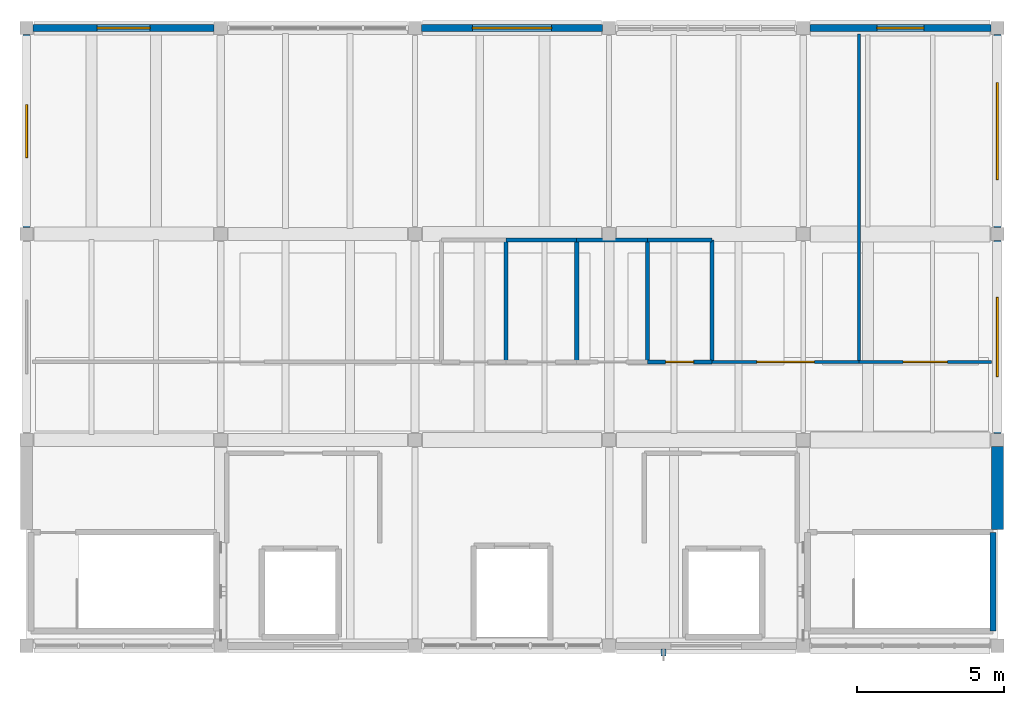
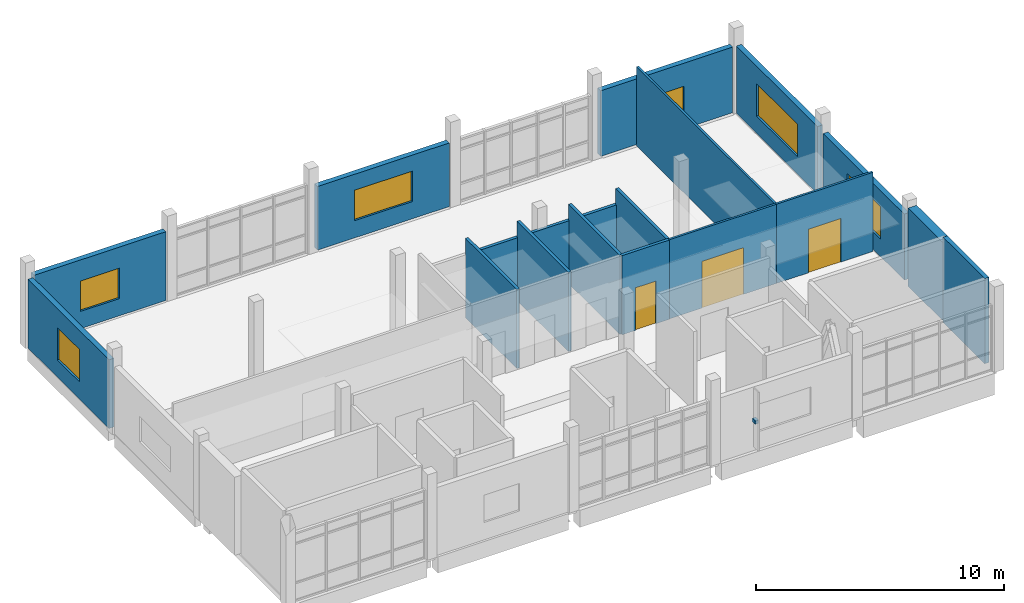
# One storey, part 9 of 10: 19 walls, 6 windows, 3 doors, 1 discrete accessory, 9 openings.
"""IFC4 building model written with IfcOpenShell, lengths in metres."""

import ifcopenshell
import ifcopenshell.guid

model = None  # the IFC model being written
_history = None  # IfcOwnerHistory: only IFC2X3 demands one
_inside = {}  # id of a spatial element -> (the spatial element, [elements in it])
_under = {}  # id of a project, library or spatial element -> (it, [spatial elements below it])
_declared = {}  # id of a project -> (the project, [libraries it declares])
_typed = {}  # id of a type object -> (the type object, [elements of that type])
_made_of = {}  # id of a material, layer set ... -> (it, [elements and type objects made of it])


def new_model(schema):
    """Start an empty IFC model of exactly this schema.

    Asked for "IFC4X3", IfcOpenShell would pick the latest addendum, in which some entities
    have other attributes; the version numbers below select the first issue.
    IFC2X3 requires an IfcOwnerHistory on every rooted entity: one is made here for all.
    """
    global model, _history
    if schema == "IFC4X3":
        model = ifcopenshell.file(schema_version=(4, 3, 0, 0))
    else:
        model = ifcopenshell.file(schema=schema)
    _inside.clear()
    _under.clear()
    _declared.clear()
    _typed.clear()
    _made_of.clear()
    _history = None
    if model.schema == "IFC2X3":
        org = make("IfcOrganization", Name="unknown")
        user = make(
            "IfcPersonAndOrganization",
            ThePerson=make("IfcPerson", FamilyName="unknown"),
            TheOrganization=org,
        )
        app = make(
            "IfcApplication",
            ApplicationDeveloper=org,
            Version="unknown",
            ApplicationFullName="unknown",
            ApplicationIdentifier="unknown",
        )
        _history = make(
            "IfcOwnerHistory",
            OwningUser=user,
            OwningApplication=app,
            ChangeAction="ADDED",
            CreationDate=0,
        )
    return model


def make(cls, **values):
    """One entity of the class cls with the attributes given. An attribute that is None is left unset."""
    return model.create_entity(
        cls, **{name: value for name, value in values.items() if value is not None}
    )


def rooted(cls, **values):
    """An entity with a GlobalId (a new one), such as an element, a storey or a relation."""
    return make(cls, GlobalId=ifcopenshell.guid.new(), OwnerHistory=_history, **values)


def si_unit(unit_type, name, prefix=None):
    """IfcSIUnit, for example si_unit("LENGTHUNIT", "METRE", prefix="MILLI")."""
    return make("IfcSIUnit", UnitType=unit_type, Prefix=prefix, Name=name)


def assignment(units):
    """IfcUnitAssignment: the units of a project."""
    return None if units is None else make("IfcUnitAssignment", Units=units)


def point(xyz):
    """IfcCartesianPoint."""
    return None if xyz is None else make("IfcCartesianPoint", Coordinates=xyz)


def direction(xyz):
    """IfcDirection."""
    return None if xyz is None else make("IfcDirection", DirectionRatios=xyz)


def frame(location, z_axis=None, x_axis=None):
    """IfcAxis2Placement3D, a coordinate frame: its origin and axes. An axis left out is left unset."""
    return make(
        "IfcAxis2Placement3D",
        Location=point(location),
        Axis=direction(z_axis),
        RefDirection=direction(x_axis),
    )


def frame_2d(location, x_axis=None):
    """IfcAxis2Placement2D, a coordinate frame in the plane: its origin and x axis."""
    return make(
        "IfcAxis2Placement2D", Location=point(location), RefDirection=direction(x_axis)
    )


def origin():
    """The frame at (0, 0, 0) with its axes left unset."""
    return frame((0.0, 0.0, 0.0))


def origin_2d():
    """The frame at (0, 0) in the plane with its x axis left unset."""
    return frame_2d((0.0, 0.0))


def place(relative_to, where):
    """IfcLocalPlacement: puts the frame where relative to a parent placement (None: the world)."""
    return make(
        "IfcLocalPlacement", PlacementRelTo=relative_to, RelativePlacement=where
    )


def context(
    kind, dimensions, precision=None, world=None, true_north=None, identifier=None
):
    """IfcGeometricRepresentationContext, for example the 3D "Model" context."""
    return make(
        "IfcGeometricRepresentationContext",
        ContextIdentifier=identifier,
        ContextType=kind,
        CoordinateSpaceDimension=dimensions,
        Precision=precision,
        WorldCoordinateSystem=world,
        TrueNorth=true_north,
    )


def subcontext(parent, identifier, kind, view, scale=None):
    """IfcGeometricRepresentationSubContext, for example "Body" below "Model"."""
    return make(
        "IfcGeometricRepresentationSubContext",
        ContextIdentifier=identifier,
        ContextType=kind,
        ParentContext=parent,
        TargetScale=scale,
        TargetView=view,
    )


def project(units=None, contexts=None):
    """IfcProject with its units and contexts."""
    return rooted(
        "IfcProject",
        Name="project",
        RepresentationContexts=contexts,
        UnitsInContext=assignment(units),
    )


def spatial(cls, under=None, at=None, **own):
    """A site, building, storey or space (cls), placed at a placement, below another one or the project."""
    s = rooted(cls, ObjectPlacement=at, **own)
    if under is not None:
        _under.setdefault(under.id(), (under, []))[1].append(s)
    return s


def profile(cls, at=None, kind="AREA", **sizes):
    """A parametric profile (cls). Its sizes go by their IFC names, for example OverallWidth=200.0."""
    return make(cls, ProfileType=kind, Position=at, **sizes)


def rectangle(**sizes):
    """IfcRectangleProfileDef."""
    return profile("IfcRectangleProfileDef", **sizes)


def extrude(swept, where, along, depth):
    """IfcExtrudedAreaSolid: the profile swept, set in the frame where, extruded along a direction by depth."""
    return make(
        "IfcExtrudedAreaSolid",
        SweptArea=swept,
        Position=where,
        ExtrudedDirection=direction(along),
        Depth=depth,
    )


def shape(context_of_items, identifier, shape_type, items):
    """IfcShapeRepresentation: the items that make up one representation, for example the "Body"."""
    return make(
        "IfcShapeRepresentation",
        ContextOfItems=context_of_items,
        RepresentationIdentifier=identifier,
        RepresentationType=shape_type,
        Items=items,
    )


def material(Name=None, Category=None):
    """IfcMaterial."""
    return make("IfcMaterial", Name=Name, Category=Category)


def layer(
    of_material, thickness, ventilated=None, Name=None, Category=None, Priority=None
):
    """IfcMaterialLayer: one layer of a wall or slab, of a material (None: an air gap)."""
    return make(
        "IfcMaterialLayer",
        Material=of_material,
        LayerThickness=thickness,
        IsVentilated=ventilated,
        Name=Name,
        Category=Category,
        Priority=Priority,
    )


def layer_set(layers, Name=None):
    """IfcMaterialLayerSet."""
    return make("IfcMaterialLayerSet", MaterialLayers=layers, LayerSetName=Name)


def made_of(thing, what):
    """Note that an element or type object is made of a material, layer set ...; save() writes the relation."""
    if what is not None:
        _made_of.setdefault(what.id(), (what, []))[1].append(thing)
    return thing


def type_object(cls, material=None, **own):
    """A type object (cls), such as IfcWallType, which elements share."""
    return made_of(rooted(cls, **own), material)


def element(
    cls,
    number,
    at=None,
    inside=None,
    cuts=None,
    type_object=None,
    material=None,
    context=None,
    identifier="Body",
    shape_type=None,
    held_by="IfcProductDefinitionShape",
    body=None,
    shapes=None,
    **own,
):
    """One element of the class cls, such as IfcWall. Its Tag is "e" and its number.

    at: its placement. inside: the storey or other place that contains it. cuts: it is an
    opening in that element (IfcRelVoidsElement). A single representation is given by context,
    identifier, shape_type and body (its items); several are given by shapes. held_by: the class
    of the entity that holds the representations. save() writes the other relations.
    """
    e = rooted(cls, Tag="e%d" % number, ObjectPlacement=at, **own)
    if body is not None:
        shapes = [shape(context, identifier, shape_type, body)]
    if shapes is not None:
        e.Representation = make(held_by, Representations=shapes)
    if inside is not None:
        _inside.setdefault(inside.id(), (inside, []))[1].append(e)
    if cuts is not None:
        rooted(
            "IfcRelVoidsElement", RelatingBuildingElement=cuts, RelatedOpeningElement=e
        )
    if type_object is not None:
        _typed.setdefault(type_object.id(), (type_object, []))[1].append(e)
    return made_of(e, material)


def fill(opening, filler):
    """IfcRelFillsElement: the door or window that sits in an opening."""
    return rooted(
        "IfcRelFillsElement",
        RelatingOpeningElement=opening,
        RelatedBuildingElement=filler,
    )


def aggregate(whole, parts):
    """IfcRelAggregates: a whole, such as a stair, and the parts it consists of."""
    return rooted("IfcRelAggregates", RelatingObject=whole, RelatedObjects=parts)


def save(model, path):
    """Write the relations noted so far, then the file.

    IfcRelAggregates (storeys below a building ...), IfcRelContainedInSpatialStructure (elements
    in a storey), IfcRelDefinesByType, IfcRelAssociatesMaterial and IfcRelDeclares: one each for
    every whole, place, type object, material and project.
    """
    for whole, parts in _under.values():
        aggregate(whole, parts)
    for where, things in _inside.values():
        rooted(
            "IfcRelContainedInSpatialStructure",
            RelatedElements=things,
            RelatingStructure=where,
        )
    for kind, things in _typed.values():
        rooted("IfcRelDefinesByType", RelatedObjects=things, RelatingType=kind)
    for what, things in _made_of.values():
        rooted("IfcRelAssociatesMaterial", RelatedObjects=things, RelatingMaterial=what)
    for by, libraries in _declared.values():
        rooted("IfcRelDeclares", RelatingContext=by, RelatedDefinitions=libraries)
    model.write(path)


model = new_model("IFC4")

# Units and contexts
model_context = context("Model", 3, precision=1e-05, world=origin(), true_north=direction((0.0, 1.0)))
body_context = subcontext(model_context, "Body", "Model", "MODEL_VIEW")
ifc_project = project(units=[si_unit("LENGTHUNIT", "METRE"), si_unit("AREAUNIT", "SQUARE_METRE"), si_unit("VOLUMEUNIT", "CUBIC_METRE"), si_unit("PLANEANGLEUNIT", "RADIAN"), si_unit("MASSUNIT", "GRAM", prefix="KILO")], contexts=[model_context])

# Site, building, storey
site_placement = place(None, origin())
site = spatial("IfcSite", under=ifc_project, at=site_placement, CompositionType="ELEMENT")
building_placement = place(site_placement, origin())
building = spatial("IfcBuilding", under=site, at=building_placement, Name="Ciguamira Faculty of Natural Sciences", CompositionType="ELEMENT")
storey_placement = place(building_placement, frame((0.0, 0.0, 46.199951171875)))
storey = spatial("IfcBuildingStorey", under=building, at=storey_placement, Name="L11", CompositionType="ELEMENT", Elevation=46.199951171875)

# Wall, opening, window
ifc_material_1 = material(Name="Precast concrete C40/50", Category="concrete")
ifc_layer_1 = layer(ifc_material_1, 0.239990234375, Name="Precast concrete C40/50")
ifc_layer_set_1 = layer_set([ifc_layer_1], Name="Precast concrete C40/50")
wall_type_1 = type_object("IfcWallType", Name="ExtWall_EW-02_240", PredefinedType="SOLIDWALL", material=ifc_layer_set_1)
wall_1_placement = place(storey_placement, frame((70.72509765625, 115.0, 0.0), z_axis=(0.0, 0.0, 1.0), x_axis=(1.0, 0.0, 0.0)))
wall_1 = element("IfcWall", 1, at=wall_1_placement, inside=storey, type_object=wall_type_1, Name="L11 exterior wall 0409", PredefinedType="SOLIDWALL", context=body_context, shape_type="SweptSolid", body=[
    extrude(rectangle(XDim=6.14990234375, YDim=0.239990234375, at=frame_2d((3.074951171875, 0.0))), origin(), (0.0, 0.0, 1.0), 3.385009765625),
])
opening_1_placement = place(wall_1_placement, frame((2.175048828125, 0.0, 0.85009765625)))
opening_1 = element("IfcOpeningElement", 2, at=opening_1_placement, cuts=wall_1, Name="Opening WT-10", PredefinedType="OPENING", context=body_context, shape_type="SweptSolid", body=[
    extrude(rectangle(XDim=1.800048828125, YDim=1.5, at=frame_2d((0.89990234375, 0.75))), frame((0.0, 0.1298828125, 0.0), z_axis=(0.0, -1.0, 0.0), x_axis=(1.0, 0.0, 0.0)), (0.0, 0.0, 1.0), 0.260009765625),
])
ifc_material_2 = material(Name="Hurricane laminated solar glass", Category="glass")
window_type_1 = type_object("IfcWindowType", Name="Window_WT-10_1800x1500", PartitioningType="DOUBLE_PANEL_VERTICAL", PredefinedType="WINDOW", material=ifc_material_2)
window_1_placement = place(opening_1_placement, origin())
window_1 = element("IfcWindow", 3, at=window_1_placement, inside=storey, type_object=window_type_1, Name="L11 facade window 0289", OverallHeight=1.5, OverallWidth=1.800048828125, PartitioningType="SINGLE_PANEL", PredefinedType="WINDOW", context=body_context, shape_type="SweptSolid", body=[
    extrude(rectangle(XDim=1.800048828125, YDim=1.5, at=frame_2d((0.89990234375, 0.75))), frame((0.0, 0.030029296875, 0.0), z_axis=(0.0, -1.0, 0.0), x_axis=(1.0, 0.0, 0.0)), (0.0, 0.0, 1.0), 0.06005859375),
])
fill(opening_1, window_1)

wall_2_placement = place(storey_placement, frame((83.925048828125, 115.0, 0.0), z_axis=(0.0, 0.0, 1.0), x_axis=(1.0, 0.0, 0.0)))
wall_2 = element("IfcWall", 4, at=wall_2_placement, inside=storey, type_object=wall_type_1, Name="L11 exterior wall 0410", PredefinedType="SOLIDWALL", context=body_context, shape_type="SweptSolid", body=[
    extrude(rectangle(XDim=6.14990234375, YDim=0.239990234375, at=frame_2d((3.074951171875, 0.0))), origin(), (0.0, 0.0, 1.0), 3.135009765625),
])
opening_2_placement = place(wall_2_placement, frame((1.72509765625, 0.0, 0.85009765625)))
opening_2 = element("IfcOpeningElement", 5, at=opening_2_placement, cuts=wall_2, Name="Opening WT-13", PredefinedType="OPENING", context=body_context, shape_type="SweptSolid", body=[
    extrude(rectangle(XDim=2.699951171875, YDim=1.5, at=frame_2d((1.35009765625, 0.75))), frame((0.0, 0.1298828125, 0.0), z_axis=(0.0, -1.0, 0.0), x_axis=(1.0, 0.0, 0.0)), (0.0, 0.0, 1.0), 0.260009765625),
])
window_type_2 = type_object("IfcWindowType", Name="Window_WT-13_2700x1500", PartitioningType="DOUBLE_PANEL_VERTICAL", PredefinedType="WINDOW", material=ifc_material_2)
window_2_placement = place(opening_2_placement, origin())
window_2 = element("IfcWindow", 6, at=window_2_placement, inside=storey, type_object=window_type_2, Name="L11 facade window 0290", OverallHeight=1.5, OverallWidth=2.699951171875, PartitioningType="SINGLE_PANEL", PredefinedType="WINDOW", context=body_context, shape_type="SweptSolid", body=[
    extrude(rectangle(XDim=2.699951171875, YDim=1.5, at=frame_2d((1.35009765625, 0.75))), frame((0.0, 0.030029296875, 0.0), z_axis=(0.0, -1.0, 0.0), x_axis=(1.0, 0.0, 0.0)), (0.0, 0.0, 1.0), 0.06005859375),
])
fill(opening_2, window_2)

wall_3_placement = place(storey_placement, frame((97.125, 115.0, 0.0), z_axis=(0.0, 0.0, 1.0), x_axis=(1.0, 0.0, 0.0)))
wall_3 = element("IfcWall", 7, at=wall_3_placement, inside=storey, type_object=wall_type_1, Name="L11 exterior wall 0411", PredefinedType="SOLIDWALL", context=body_context, shape_type="SweptSolid", body=[
    extrude(rectangle(XDim=6.14990234375, YDim=0.239990234375, at=frame_2d((3.074951171875, 0.0))), origin(), (0.0, 0.0, 1.0), 3.235107421875),
])
opening_3_placement = place(wall_3_placement, frame((2.27490234375, 0.0, 0.85009765625)))
opening_3 = element("IfcOpeningElement", 8, at=opening_3_placement, cuts=wall_3, Name="Opening WT-16", PredefinedType="OPENING", context=body_context, shape_type="SweptSolid", body=[
    extrude(rectangle(XDim=1.60009765625, YDim=1.25, at=frame_2d((0.800048828125, 0.625))), frame((0.0, 0.1298828125, 0.0), z_axis=(0.0, -1.0, 0.0), x_axis=(1.0, 0.0, 0.0)), (0.0, 0.0, 1.0), 0.260009765625),
])
window_type_3 = type_object("IfcWindowType", Name="Window_WT-16_1600x1250", PartitioningType="DOUBLE_PANEL_VERTICAL", PredefinedType="WINDOW", material=ifc_material_2)
window_3_placement = place(opening_3_placement, origin())
window_3 = element("IfcWindow", 9, at=window_3_placement, inside=storey, type_object=window_type_3, Name="L11 facade window 0291", OverallHeight=1.25, OverallWidth=1.60009765625, PartitioningType="SINGLE_PANEL", PredefinedType="WINDOW", context=body_context, shape_type="SweptSolid", body=[
    extrude(rectangle(XDim=1.60009765625, YDim=1.25, at=frame_2d((0.800048828125, 0.625))), frame((0.0, 0.030029296875, 0.0), z_axis=(0.0, -1.0, 0.0), x_axis=(1.0, 0.0, 0.0)), (0.0, 0.0, 1.0), 0.06005859375),
])
fill(opening_3, window_3)

wall_4_placement = place(storey_placement, frame((70.5, 108.22509765625, 0.0), z_axis=(0.0, 0.0, 1.0), x_axis=(0.0, 1.0, 0.0)))
wall_4 = element("IfcWall", 10, at=wall_4_placement, inside=storey, type_object=wall_type_1, Name="L11 exterior wall 0414", PredefinedType="SOLIDWALL", context=body_context, shape_type="SweptSolid", body=[
    extrude(rectangle(XDim=6.5498046875, YDim=0.239990234375, at=frame_2d((3.27490234375, 0.0))), origin(), (0.0, 0.0, 1.0), 3.38134765625),
])
opening_4_placement = place(wall_4_placement, frame((2.375, 0.0, 0.85009765625)))
opening_4 = element("IfcOpeningElement", 11, at=opening_4_placement, cuts=wall_4, Name="Opening WT-21", PredefinedType="OPENING", context=body_context, shape_type="SweptSolid", body=[
    extrude(rectangle(XDim=1.800048828125, YDim=1.60009765625, at=frame_2d((0.89990234375, 0.800048828125))), frame((0.0, 0.1298828125, 0.0), z_axis=(0.0, -1.0, 0.0), x_axis=(1.0, 0.0, 0.0)), (0.0, 0.0, 1.0), 0.260009765625),
])
window_type_4 = type_object("IfcWindowType", Name="Window_WT-21_1800x1600", PartitioningType="DOUBLE_PANEL_VERTICAL", PredefinedType="WINDOW", material=ifc_material_2)
window_4_placement = place(opening_4_placement, origin())
window_4 = element("IfcWindow", 12, at=window_4_placement, inside=storey, type_object=window_type_4, Name="L11 facade window 0293", OverallHeight=1.60009765625, OverallWidth=1.800048828125, PartitioningType="SINGLE_PANEL", PredefinedType="WINDOW", context=body_context, shape_type="SweptSolid", body=[
    extrude(rectangle(XDim=1.800048828125, YDim=1.60009765625, at=frame_2d((0.89990234375, 0.800048828125))), frame((0.0, 0.030029296875, 0.0), z_axis=(0.0, -1.0, 0.0), x_axis=(1.0, 0.0, 0.0)), (0.0, 0.0, 1.0), 0.06005859375),
])
fill(opening_4, window_4)

wall_5_placement = place(storey_placement, frame((103.5, 101.22509765625, 0.0), z_axis=(0.0, 0.0, 1.0), x_axis=(0.0, 1.0, 0.0)))
wall_5 = element("IfcWall", 13, at=wall_5_placement, inside=storey, type_object=wall_type_1, Name="L11 exterior wall 0416", PredefinedType="SOLIDWALL", context=body_context, shape_type="SweptSolid", body=[
    extrude(rectangle(XDim=6.5498046875, YDim=0.239990234375, at=frame_2d((3.27490234375, 0.0))), origin(), (0.0, 0.0, 1.0), 3.246826171875),
])
opening_5_placement = place(wall_5_placement, frame((1.925048828125, 0.0, 0.85009765625)))
opening_5 = element("IfcOpeningElement", 14, at=opening_5_placement, cuts=wall_5, Name="Opening WT-24", PredefinedType="OPENING", context=body_context, shape_type="SweptSolid", body=[
    extrude(rectangle(XDim=2.699951171875, YDim=1.60009765625, at=frame_2d((1.35009765625, 0.800048828125))), frame((0.0, 0.1298828125, 0.0), z_axis=(0.0, -1.0, 0.0), x_axis=(1.0, 0.0, 0.0)), (0.0, 0.0, 1.0), 0.260009765625),
])
window_type_5 = type_object("IfcWindowType", Name="Window_WT-24_2700x1600", PartitioningType="DOUBLE_PANEL_VERTICAL", PredefinedType="WINDOW", material=ifc_material_2)
window_5_placement = place(opening_5_placement, origin())
window_5 = element("IfcWindow", 15, at=window_5_placement, inside=storey, type_object=window_type_5, Name="L11 facade window 0294", OverallHeight=1.60009765625, OverallWidth=2.699951171875, PartitioningType="SINGLE_PANEL", PredefinedType="WINDOW", context=body_context, shape_type="SweptSolid", body=[
    extrude(rectangle(XDim=2.699951171875, YDim=1.60009765625, at=frame_2d((1.35009765625, 0.800048828125))), frame((0.0, 0.030029296875, 0.0), z_axis=(0.0, -1.0, 0.0), x_axis=(1.0, 0.0, 0.0)), (0.0, 0.0, 1.0), 0.06005859375),
])
fill(opening_5, window_5)

wall_6_placement = place(storey_placement, frame((103.5, 108.22509765625, 0.0), z_axis=(0.0, 0.0, 1.0), x_axis=(0.0, 1.0, 0.0)))
wall_6 = element("IfcWall", 16, at=wall_6_placement, inside=storey, type_object=wall_type_1, Name="L11 exterior wall 0417", PredefinedType="SOLIDWALL", context=body_context, shape_type="SweptSolid", body=[
    extrude(rectangle(XDim=6.5498046875, YDim=0.239990234375, at=frame_2d((3.27490234375, 0.0))), origin(), (0.0, 0.0, 1.0), 3.31298828125),
])
opening_6_placement = place(wall_6_placement, frame((1.625, 0.0, 0.85009765625)))
opening_6 = element("IfcOpeningElement", 17, at=opening_6_placement, cuts=wall_6, Name="Opening WT-26", PredefinedType="OPENING", context=body_context, shape_type="SweptSolid", body=[
    extrude(rectangle(XDim=3.300048828125, YDim=1.60009765625, at=frame_2d((1.64990234375, 0.800048828125))), frame((0.0, 0.1298828125, 0.0), z_axis=(0.0, -1.0, 0.0), x_axis=(1.0, 0.0, 0.0)), (0.0, 0.0, 1.0), 0.260009765625),
])
window_type_6 = type_object("IfcWindowType", Name="Window_WT-26_3300x1600", PartitioningType="DOUBLE_PANEL_VERTICAL", PredefinedType="WINDOW", material=ifc_material_2)
window_6_placement = place(opening_6_placement, origin())
window_6 = element("IfcWindow", 18, at=window_6_placement, inside=storey, type_object=window_type_6, Name="L11 facade window 0295", OverallHeight=1.60009765625, OverallWidth=3.300048828125, PartitioningType="SINGLE_PANEL", PredefinedType="WINDOW", context=body_context, shape_type="SweptSolid", body=[
    extrude(rectangle(XDim=3.300048828125, YDim=1.60009765625, at=frame_2d((1.64990234375, 0.800048828125))), frame((0.0, 0.030029296875, 0.0), z_axis=(0.0, -1.0, 0.0), x_axis=(1.0, 0.0, 0.0)), (0.0, 0.0, 1.0), 0.06005859375),
])
fill(opening_6, window_6)

# Walls
ifc_material_3 = material(Name="Concrete C40/50", Category="concrete")
ifc_layer_2 = layer(ifc_material_3, 0.39990234375, Name="Concrete C40/50")
ifc_layer_set_2 = layer_set([ifc_layer_2], Name="Concrete C40/50")
wall_type_2 = type_object("IfcWallType", Name="ExtWall_RW-02_400", PredefinedType="SHEAR", material=ifc_layer_set_2)
wall_7_placement = place(storey_placement, frame((103.5, 97.9599609375, 0.0), z_axis=(0.0, 0.0, 1.0), x_axis=(0.0, 1.0, 0.0)))
element("IfcWall", 19, at=wall_7_placement, inside=storey, type_object=wall_type_2, Name="L11 exterior wall 0415", PredefinedType="SHEAR", context=body_context, shape_type="SweptSolid", body=[
    extrude(rectangle(XDim=2.81494140625, YDim=0.39990234375, at=frame_2d((1.407470703125, 0.0))), origin(), (0.0, 0.0, 1.0), 3.85009765625),
])
ifc_layer_3 = layer(ifc_material_3, 0.199951171875, Name="Concrete C40/50")
ifc_layer_set_3 = layer_set([ifc_layer_3], Name="Concrete C40/50")
wall_type_3 = type_object("IfcWallType", Name="IntWall_CW-S20_200", PredefinedType="SHEAR", material=ifc_layer_set_3)
wall_8_placement = place(storey_placement, frame((103.35009765625, 94.5, 0.0), z_axis=(0.0, 0.0, 1.0), x_axis=(0.0, 1.0, 0.0)))
element("IfcWall", 20, at=wall_8_placement, inside=storey, type_object=wall_type_3, Name="L11 ST-T2 core shear wall east", PredefinedType="SHEAR", context=body_context, shape_type="SweptSolid", body=[
    extrude(rectangle(XDim=3.360107421875, YDim=0.199951171875, at=frame_2d((1.68017578125, 0.0))), origin(), (0.0, 0.0, 1.0), 4.199951171875),
])

# Wall, opening, door
ifc_material_4 = material(Name="Fire-rated gypsum partition")
ifc_layer_4 = layer(ifc_material_4, 0.10009765625, Name="Fire-rated gypsum partition")
ifc_layer_set_4 = layer_set([ifc_layer_4], Name="Fire-rated gypsum partition")
wall_type_4 = type_object("IfcWallType", Name="IntWall_IW-A10_100", PredefinedType="PARTITIONING", material=ifc_layer_set_4)
wall_9_placement = place(storey_placement, frame((93.800048828125, 103.64990234375, 0.0), z_axis=(0.0, 0.0, 1.0), x_axis=(1.0, 0.0, 0.0)))
wall_9 = element("IfcWall", 21, at=wall_9_placement, inside=storey, type_object=wall_type_4, Name="L11 Dean of Natural Sciences Boardroom partition south", PredefinedType="PARTITIONING", context=body_context, shape_type="SweptSolid", body=[
    extrude(rectangle(XDim=5.0, YDim=0.10009765625, at=frame_2d((2.5, 0.0))), origin(), (0.0, 0.0, 1.0), 3.900146484375),
])
opening_7_placement = place(wall_9_placement, frame((1.52490234375, 0.0, 0.0)))
opening_7 = element("IfcOpeningElement", 22, at=opening_7_placement, cuts=wall_9, Name="Opening ID-13", PredefinedType="OPENING", context=body_context, shape_type="SweptSolid", body=[
    extrude(rectangle(XDim=1.949951171875, YDim=2.300048828125, at=frame_2d((0.97509765625, 1.14990234375))), frame((0.0, 0.06005859375, 0.0), z_axis=(0.0, -1.0, 0.0), x_axis=(1.0, 0.0, 0.0)), (0.0, 0.0, 1.0), 0.1201171875),
])
ifc_material_5 = material(Name="Atrium concourse double fire door")
door_type_1 = type_object("IfcDoorType", Name="IntDoor_ID-13_1950x2300", OperationType="NOTDEFINED", PredefinedType="DOOR", material=ifc_material_5)
door_1_placement = place(opening_7_placement, origin())
door_1 = element("IfcDoor", 23, at=door_1_placement, inside=storey, type_object=door_type_1, Name="L11 Dean of Natural Sciences Boardroom door", OperationType="SINGLE_SWING_RIGHT", OverallHeight=2.300048828125, OverallWidth=1.949951171875, PredefinedType="DOOR", context=body_context, shape_type="SweptSolid", body=[
    extrude(rectangle(XDim=1.949951171875, YDim=2.300048828125, at=frame_2d((0.97509765625, 1.14990234375))), frame((0.0, 0.02490234375, 0.0), z_axis=(0.0, -1.0, 0.0), x_axis=(1.0, 0.0, 0.0)), (0.0, 0.0, 1.0), 0.050048828125),
])
fill(opening_7, door_1)

# Wall
wall_10_placement = place(storey_placement, frame((98.800048828125, 103.64990234375, 0.0), z_axis=(0.0, 0.0, 1.0), x_axis=(0.0, 1.0, 0.0)))
element("IfcWall", 24, at=wall_10_placement, inside=storey, type_object=wall_type_4, Name="L11 Dean of Natural Sciences Boardroom partition east", PredefinedType="PARTITIONING", context=body_context, shape_type="SweptSolid", body=[
    extrude(rectangle(XDim=11.150146484375, YDim=0.10009765625, at=frame_2d((5.5751953125, 0.0))), origin(), (0.0, 0.0, 1.0), 3.900146484375),
])

# Wall, opening, door
wall_11_placement = place(storey_placement, frame((98.800048828125, 103.64990234375, 0.0), z_axis=(0.0, 0.0, 1.0), x_axis=(1.0, 0.0, 0.0)))
wall_11 = element("IfcWall", 25, at=wall_11_placement, inside=storey, type_object=wall_type_4, Name="L11 Deanery Academic Administration Office partition south", PredefinedType="PARTITIONING", context=body_context, shape_type="SweptSolid", body=[
    extrude(rectangle(XDim=4.5, YDim=0.10009765625, at=frame_2d((2.25, 0.0))), origin(), (0.0, 0.0, 1.0), 3.900146484375),
])
opening_8_placement = place(wall_11_placement, frame((1.5, 0.0, 0.0)))
opening_8 = element("IfcOpeningElement", 26, at=opening_8_placement, cuts=wall_11, Name="Opening ID-17", PredefinedType="OPENING", context=body_context, shape_type="SweptSolid", body=[
    extrude(rectangle(XDim=1.5, YDim=2.14990234375, at=frame_2d((0.75, 1.074951171875))), frame((0.0, 0.06005859375, 0.0), z_axis=(0.0, -1.0, 0.0), x_axis=(1.0, 0.0, 0.0)), (0.0, 0.0, 1.0), 0.1201171875),
])
ifc_material_6 = material(Name="Plant room double steel door", Category="steel")
door_type_2 = type_object("IfcDoorType", Name="IntDoor_ID-17_1500x2150", OperationType="NOTDEFINED", PredefinedType="DOOR", material=ifc_material_6)
door_2_placement = place(opening_8_placement, origin())
door_2 = element("IfcDoor", 27, at=door_2_placement, inside=storey, type_object=door_type_2, Name="L11 Deanery Academic Administration Office door", OperationType="SINGLE_SWING_LEFT", OverallHeight=2.14990234375, OverallWidth=1.5, PredefinedType="DOOR", context=body_context, shape_type="SweptSolid", body=[
    extrude(rectangle(XDim=1.5, YDim=2.14990234375, at=frame_2d((0.75, 1.074951171875))), frame((0.0, 0.02490234375, 0.0), z_axis=(0.0, -1.0, 0.0), x_axis=(1.0, 0.0, 0.0)), (0.0, 0.0, 1.0), 0.050048828125),
])
fill(opening_8, door_2)

# Walls
ifc_material_7 = material(Name="Moisture-resistant service chase wall")
ifc_layer_5 = layer(ifc_material_7, 0.139892578125, Name="Moisture-resistant service chase wall")
ifc_layer_set_5 = layer_set([ifc_layer_5], Name="Moisture-resistant service chase wall")
wall_type_5 = type_object("IfcWallType", Name="IntWall_IW-P14_140", PredefinedType="PLUMBINGWALL", material=ifc_layer_set_5)
wall_12_placement = place(storey_placement, frame((86.800048828125, 103.64990234375, 0.0), z_axis=(0.0, 0.0, 1.0), x_axis=(0.0, 1.0, 0.0)))
element("IfcWall", 28, at=wall_12_placement, inside=storey, type_object=wall_type_5, Name="L11 Accessible WC partition east", PredefinedType="PLUMBINGWALL", context=body_context, shape_type="SweptSolid", body=[
    extrude(rectangle(XDim=4.150146484375, YDim=0.139892578125, at=frame_2d((2.0751953125, 0.0))), origin(), (0.0, 0.0, 1.0), 3.900146484375),
])
wall_13_placement = place(storey_placement, frame((86.800048828125, 107.800048828125, 0.0), z_axis=(0.0, 0.0, 1.0), x_axis=(1.0, 0.0, 0.0)))
element("IfcWall", 29, at=wall_13_placement, inside=storey, type_object=wall_type_5, Name="L11 Public Restroom Female partition north", PredefinedType="PLUMBINGWALL", context=body_context, shape_type="SweptSolid", body=[
    extrude(rectangle(XDim=2.39990234375, YDim=0.139892578125, at=frame_2d((1.199951171875, 0.0))), origin(), (0.0, 0.0, 1.0), 3.135009765625),
])
wall_14_placement = place(storey_placement, frame((89.199951171875, 103.64990234375, 0.0), z_axis=(0.0, 0.0, 1.0), x_axis=(0.0, 1.0, 0.0)))
element("IfcWall", 30, at=wall_14_placement, inside=storey, type_object=wall_type_5, Name="L11 Public Restroom Female partition east", PredefinedType="PLUMBINGWALL", context=body_context, shape_type="SweptSolid", body=[
    extrude(rectangle(XDim=4.150146484375, YDim=0.139892578125, at=frame_2d((2.0751953125, 0.0))), origin(), (0.0, 0.0, 1.0), 3.900146484375),
])
wall_15_placement = place(storey_placement, frame((89.199951171875, 107.800048828125, 0.0), z_axis=(0.0, 0.0, 1.0), x_axis=(1.0, 0.0, 0.0)))
element("IfcWall", 31, at=wall_15_placement, inside=storey, type_object=wall_type_5, Name="L11 Public Restroom Male partition north", PredefinedType="PLUMBINGWALL", context=body_context, shape_type="SweptSolid", body=[
    extrude(rectangle(XDim=2.400146484375, YDim=0.139892578125, at=frame_2d((1.2001953125, 0.0))), origin(), (0.0, 0.0, 1.0), 3.135009765625),
])
wall_16_placement = place(storey_placement, frame((91.60009765625, 103.64990234375, 0.0), z_axis=(0.0, 0.0, 1.0), x_axis=(0.0, 1.0, 0.0)))
element("IfcWall", 32, at=wall_16_placement, inside=storey, type_object=wall_type_5, Name="L11 Public Restroom Male partition east", PredefinedType="PLUMBINGWALL", context=body_context, shape_type="SweptSolid", body=[
    extrude(rectangle(XDim=4.150146484375, YDim=0.139892578125, at=frame_2d((2.0751953125, 0.0))), origin(), (0.0, 0.0, 1.0), 3.900146484375),
])

# Wall, opening, door
wall_17_placement = place(storey_placement, frame((91.60009765625, 103.64990234375, 0.0), z_axis=(0.0, 0.0, 1.0), x_axis=(1.0, 0.0, 0.0)))
wall_17 = element("IfcWall", 33, at=wall_17_placement, inside=storey, type_object=wall_type_5, Name="L11 Staff Restroom partition south", PredefinedType="PLUMBINGWALL", context=body_context, shape_type="SweptSolid", body=[
    extrude(rectangle(XDim=2.199951171875, YDim=0.139892578125, at=frame_2d((1.10009765625, 0.0))), origin(), (0.0, 0.0, 1.0), 3.900146484375),
])
opening_9_placement = place(wall_17_placement, frame((0.625, 0.0, 0.0)))
opening_9 = element("IfcOpeningElement", 34, at=opening_9_placement, cuts=wall_17, Name="Opening ID-02", PredefinedType="OPENING", context=body_context, shape_type="SweptSolid", body=[
    extrude(rectangle(XDim=0.949951171875, YDim=2.10009765625, at=frame_2d((0.47509765625, 1.050048828125))), frame((0.0, 0.079833984375, 0.0), z_axis=(0.0, -1.0, 0.0), x_axis=(1.0, 0.0, 0.0)), (0.0, 0.0, 1.0), 0.159912109375),
])
ifc_material_8 = material(Name="Accessible WC outward-clear door")
door_type_3 = type_object("IfcDoorType", Name="IntDoor_ID-02_950x2100", OperationType="NOTDEFINED", PredefinedType="DOOR", material=ifc_material_8)
door_3_placement = place(opening_9_placement, origin())
door_3 = element("IfcDoor", 35, at=door_3_placement, inside=storey, type_object=door_type_3, Name="L11 Staff Restroom door", OperationType="SINGLE_SWING_RIGHT", OverallHeight=2.10009765625, OverallWidth=0.949951171875, PredefinedType="DOOR", context=body_context, shape_type="SweptSolid", body=[
    extrude(rectangle(XDim=0.949951171875, YDim=2.10009765625, at=frame_2d((0.47509765625, 1.050048828125))), frame((0.0, 0.02490234375, 0.0), z_axis=(0.0, -1.0, 0.0), x_axis=(1.0, 0.0, 0.0)), (0.0, 0.0, 1.0), 0.050048828125),
])
fill(opening_9, door_3)

# Walls
wall_18_placement = place(storey_placement, frame((91.60009765625, 107.800048828125, 0.0), z_axis=(0.0, 0.0, 1.0), x_axis=(1.0, 0.0, 0.0)))
element("IfcWall", 36, at=wall_18_placement, inside=storey, type_object=wall_type_5, Name="L11 Staff Restroom partition north", PredefinedType="PLUMBINGWALL", context=body_context, shape_type="SweptSolid", body=[
    extrude(rectangle(XDim=2.199951171875, YDim=0.139892578125, at=frame_2d((1.10009765625, 0.0))), origin(), (0.0, 0.0, 1.0), 3.135009765625),
])
wall_19_placement = place(storey_placement, frame((93.800048828125, 103.64990234375, 0.0), z_axis=(0.0, 0.0, 1.0), x_axis=(0.0, 1.0, 0.0)))
element("IfcWall", 37, at=wall_19_placement, inside=storey, type_object=wall_type_5, Name="L11 Staff Restroom partition east", PredefinedType="PLUMBINGWALL", context=body_context, shape_type="SweptSolid", body=[
    extrude(rectangle(XDim=4.150146484375, YDim=0.139892578125, at=frame_2d((2.0751953125, 0.0))), origin(), (0.0, 0.0, 1.0), 3.900146484375),
])

# Discrete accessory
ifc_material_9 = material(Name="Stainless steel fixing bracket", Category="steel")
discrete_accessory_type = type_object("IfcDiscreteAccessoryType", Name="FacadeBracket_BK01", PredefinedType="BRACKET", material=ifc_material_9)
discrete_accessory_placement = place(storey_placement, frame((92.14990234375, 93.780029296875, 1.4453125), z_axis=(0.0, 0.0, 1.0), x_axis=(1.0, 0.0, 0.0)))
element("IfcDiscreteAccessory", 38, at=discrete_accessory_placement, inside=storey, type_object=discrete_accessory_type, Name="L11 sunshade fixing bracket 0040", PredefinedType="BRACKET", context=body_context, shape_type="SweptSolid", body=[
    extrude(rectangle(XDim=0.159912109375, YDim=0.239990234375, at=origin_2d()), origin(), (0.0, 0.0, 1.0), 0.159912109375),
])

save(model, "model.ifc")
